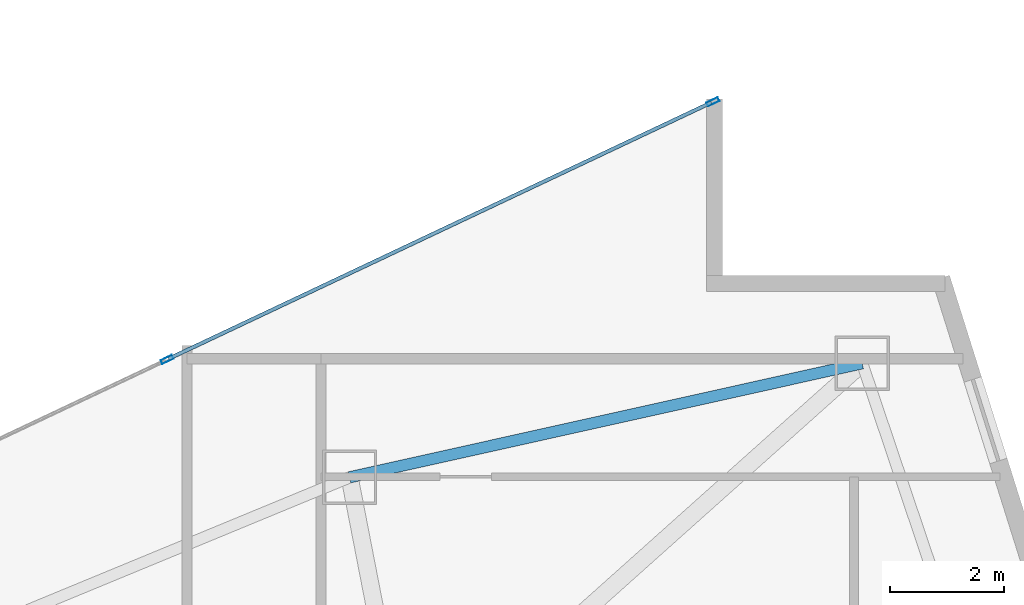
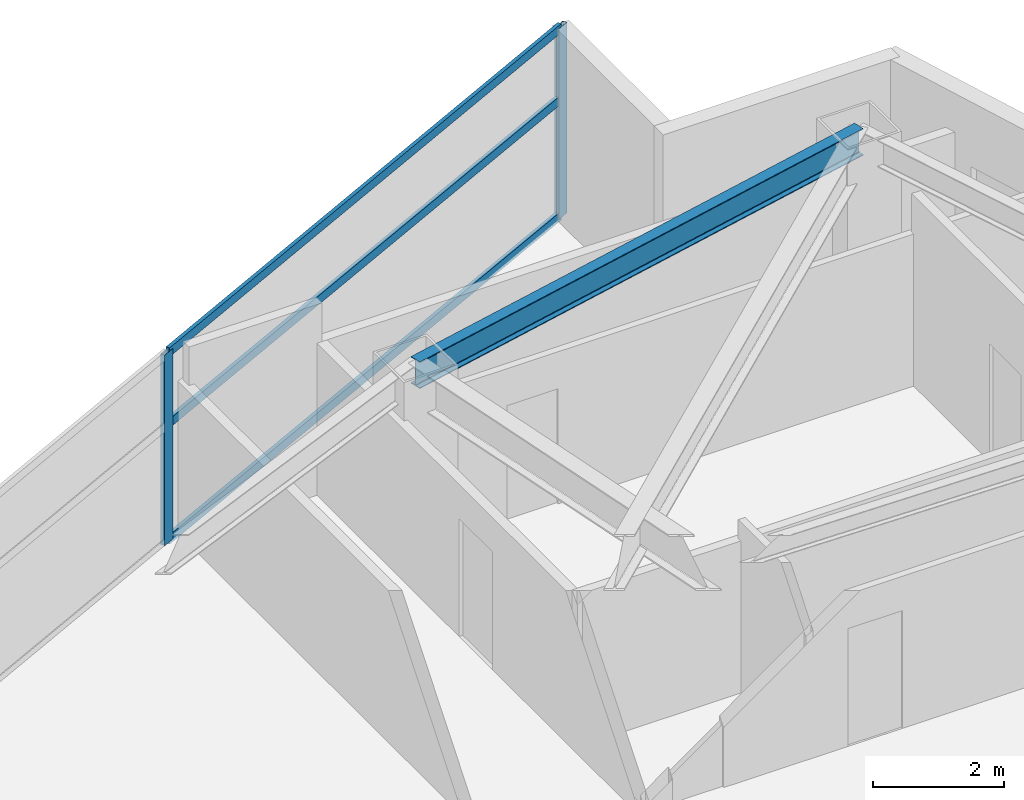
# One storey, part 20 of 30: 5 members, 1 beam, 1 element without a shape of its own.
"""IFC4 building model written with IfcOpenShell, lengths in metres."""

from ifc_helpers import new_model, si_unit, direction, frame, origin, origin_2d, place, context, subcontext, project, spatial, hollow_rectangle, i_section, extrude, material, layer, layer_set, material_profile, profile_set, type_object, element, aggregate, save


model = new_model("IFC4")

# Units and contexts
model_context = context("Model", 3, precision=1e-05, world=origin(), true_north=direction((0.0, 1.0)))
body_context = subcontext(model_context, "Body", "Model", "MODEL_VIEW")
ifc_project = project(units=[si_unit("LENGTHUNIT", "METRE"), si_unit("AREAUNIT", "SQUARE_METRE"), si_unit("VOLUMEUNIT", "CUBIC_METRE"), si_unit("PLANEANGLEUNIT", "RADIAN"), si_unit("MASSUNIT", "GRAM", prefix="KILO")], contexts=[model_context])

# Site, building, storey
site_placement = place(None, origin())
site = spatial("IfcSite", under=ifc_project, at=site_placement, CompositionType="ELEMENT")
building_placement = place(site_placement, origin())
building = spatial("IfcBuilding", under=site, at=building_placement, Name="Calvorn Quay Hotel", CompositionType="ELEMENT")
storey_placement = place(building_placement, frame((0.0, 0.0, 77.39990234375)))
storey = spatial("IfcBuildingStorey", under=building, at=storey_placement, Name="L18", CompositionType="ELEMENT", Elevation=77.39990234375)

# Beam
ifc_material_1 = material(Name="Steel Q355B", Category="steel")
ifc_material_profile_1 = material_profile(ifc_material_1, i_section(OverallWidth=0.199951171875, OverallDepth=0.5, WebThickness=0.010009765625, FlangeThickness=0.01611328125, FilletRadius=0.01611328125, at=origin_2d()), Name="HN500x200x10x16")
ifc_profile_set_1 = profile_set([ifc_material_profile_1], Name="Steel Q355B")
beam_type = type_object("IfcBeamType", Name="BM-SPANDREL-Z1", PredefinedType="SPANDREL", material=ifc_profile_set_1)
beam_placement = place(storey_placement, frame((52.990966796875, 33.39990234375, 3.2900390625), z_axis=(-0.976140886259, -0.217138136156, 0.0), x_axis=(0.217138136156, -0.976140886259, 0.0)))
element("IfcBeam", 1, at=beam_placement, inside=storey, type_object=beam_type, Name="Beam BSP-L18-E3", PredefinedType="SPANDREL", context=body_context, shape_type="SweptSolid", body=[
    extrude(i_section(OverallWidth=0.199951171875, OverallDepth=0.5, WebThickness=0.010009765625, FlangeThickness=0.01611328125, FilletRadius=0.01611328125, at=origin_2d()), origin(), (0.0, 0.0, 1.0), 9.210693359375),
])

# Curtain wall, members
ifc_material_2 = material(Name="Pale Anodised Aluminium and Low-E Glass", Category="aluminium")
ifc_layer = layer(ifc_material_2, 0.219970703125)
ifc_layer_set = layer_set([ifc_layer], Name="CW-SYS-Z1")
curtain_wall_type = type_object("IfcCurtainWallType", Name="CW-SYS-Z1", PredefinedType="NOTDEFINED", material=ifc_layer_set)
curtain_wall_placement = place(storey_placement, origin())
curtain_wall = element("IfcCurtainWall", 2, at=curtain_wall_placement, inside=storey, type_object=curtain_wall_type, Name="Inner Court Curtain Wall L18-NE1", PredefinedType="NOTDEFINED")
ifc_material_3 = material(Name="Pale Anodised Aluminium 6063-T6", Category="aluminium")
ifc_material_profile_2 = material_profile(ifc_material_3, hollow_rectangle(XDim=0.074951171875, YDim=0.219970703125, WallThickness=0.00439453125, at=origin_2d()), Name="ALU-M220x75x4.5")
ifc_profile_set_2 = profile_set([ifc_material_profile_2], Name="Pale Anodised Aluminium 6063-T6")
member_type_1 = type_object("IfcMemberType", Name="CW-SYS-Z1-MUL", PredefinedType="MULLION", material=ifc_profile_set_2)
member_1_placement = place(storey_placement, frame((50.372802734375, 37.9873046875, 0.0), z_axis=(0.0, 0.0, 1.0), x_axis=(0.427006305415, -0.904248646743, 0.0)))
member_1 = element("IfcMember", 3, at=member_1_placement, type_object=member_type_1, Name="CW-L18-NE1 mullion 1", PredefinedType="MULLION", context=body_context, shape_type="SweptSolid", body=[
    extrude(hollow_rectangle(XDim=0.074951171875, YDim=0.219970703125, WallThickness=0.00439453125, at=origin_2d()), origin(), (0.0, 0.0, 1.0), 3.56005859375),
])
member_2_placement = place(storey_placement, frame((40.800048828125, 33.466552734375, 0.0), z_axis=(0.0, 0.0, 1.0), x_axis=(0.427006305415, -0.904248646743, 0.0)))
member_2 = element("IfcMember", 4, at=member_2_placement, type_object=member_type_1, Name="CW-L18-NE1 mullion 2", PredefinedType="MULLION", context=body_context, shape_type="SweptSolid", body=[
    extrude(hollow_rectangle(XDim=0.074951171875, YDim=0.219970703125, WallThickness=0.00439453125, at=origin_2d()), origin(), (0.0, 0.0, 1.0), 3.56005859375),
])
ifc_material_4 = material(Name="Pale Anodised Aluminium 6063-T6", Category="aluminium")
ifc_material_profile_3 = material_profile(ifc_material_4, hollow_rectangle(XDim=0.06494140625, YDim=0.1650390625, WallThickness=0.00341796875, at=origin_2d()), Name="ALU-T165x65x3.5")
ifc_profile_set_3 = profile_set([ifc_material_profile_3], Name="Pale Anodised Aluminium 6063-T6")
member_type_2 = type_object("IfcMemberType", Name="CW-SYS-Z1-TRN", PredefinedType="USERDEFINED", material=ifc_profile_set_3)
member_3_placement = place(storey_placement, frame((50.345703125, 37.974365234375, 0.030029296875), z_axis=(-0.904248646746, -0.427006305408, 0.0), x_axis=(0.427006305408, -0.904248646746, 0.0)))
member_3 = element("IfcMember", 5, at=member_3_placement, type_object=member_type_2, Name="CW-L18-NE1 transom 1.1", ObjectType="TRANSOM", PredefinedType="USERDEFINED", context=body_context, shape_type="SweptSolid", body=[
    extrude(hollow_rectangle(XDim=0.06494140625, YDim=0.1650390625, WallThickness=0.00341796875, at=origin_2d()), origin(), (0.0, 0.0, 1.0), 10.5263671875),
])
member_4_placement = place(storey_placement, frame((50.345703125, 37.974365234375, 2.2001953125), z_axis=(-0.904248646746, -0.427006305408, 0.0), x_axis=(0.427006305408, -0.904248646746, 0.0)))
member_4 = element("IfcMember", 6, at=member_4_placement, type_object=member_type_2, Name="CW-L18-NE1 transom 1.2", ObjectType="TRANSOM", PredefinedType="USERDEFINED", context=body_context, shape_type="SweptSolid", body=[
    extrude(hollow_rectangle(XDim=0.06494140625, YDim=0.1650390625, WallThickness=0.00341796875, at=origin_2d()), origin(), (0.0, 0.0, 1.0), 10.5263671875),
])
member_5_placement = place(storey_placement, frame((50.345703125, 37.974365234375, 3.530029296875), z_axis=(-0.904248646746, -0.427006305408, 0.0), x_axis=(0.427006305408, -0.904248646746, 0.0)))
member_5 = element("IfcMember", 7, at=member_5_placement, type_object=member_type_2, Name="CW-L18-NE1 transom 1.3", ObjectType="TRANSOM", PredefinedType="USERDEFINED", context=body_context, shape_type="SweptSolid", body=[
    extrude(hollow_rectangle(XDim=0.06494140625, YDim=0.1650390625, WallThickness=0.00341796875, at=origin_2d()), origin(), (0.0, 0.0, 1.0), 10.5263671875),
])
aggregate(curtain_wall, [member_1, member_2, member_3, member_4, member_5])

save(model, "model.ifc")
